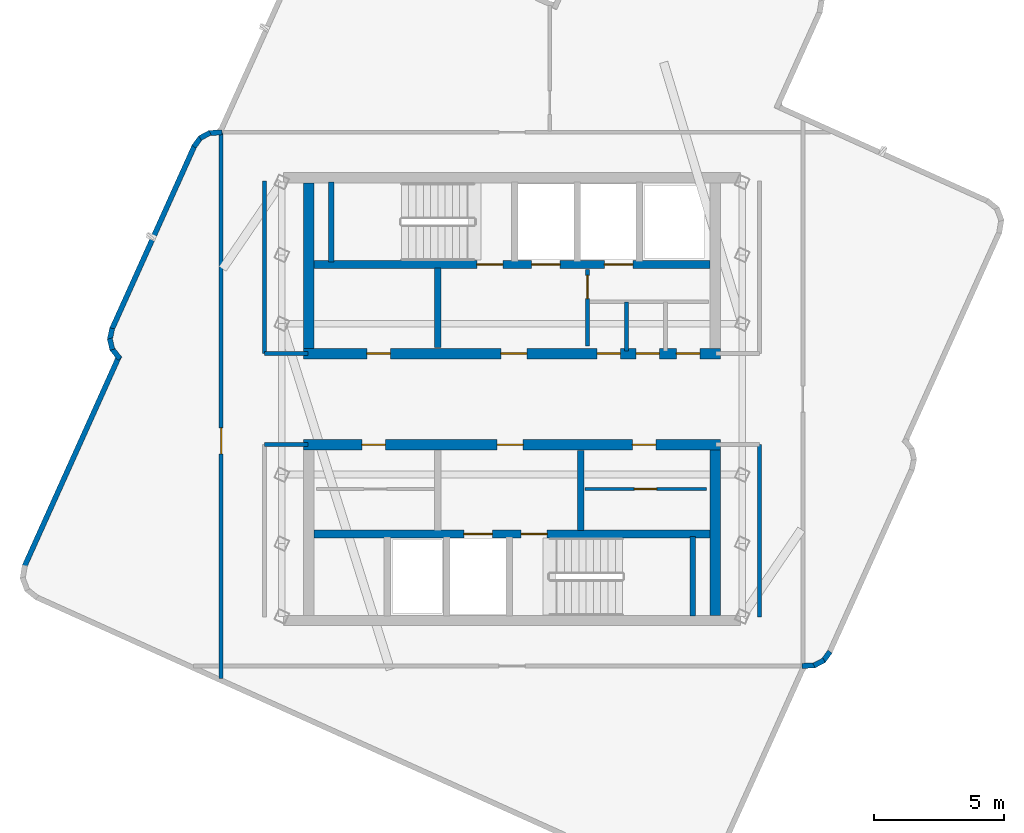
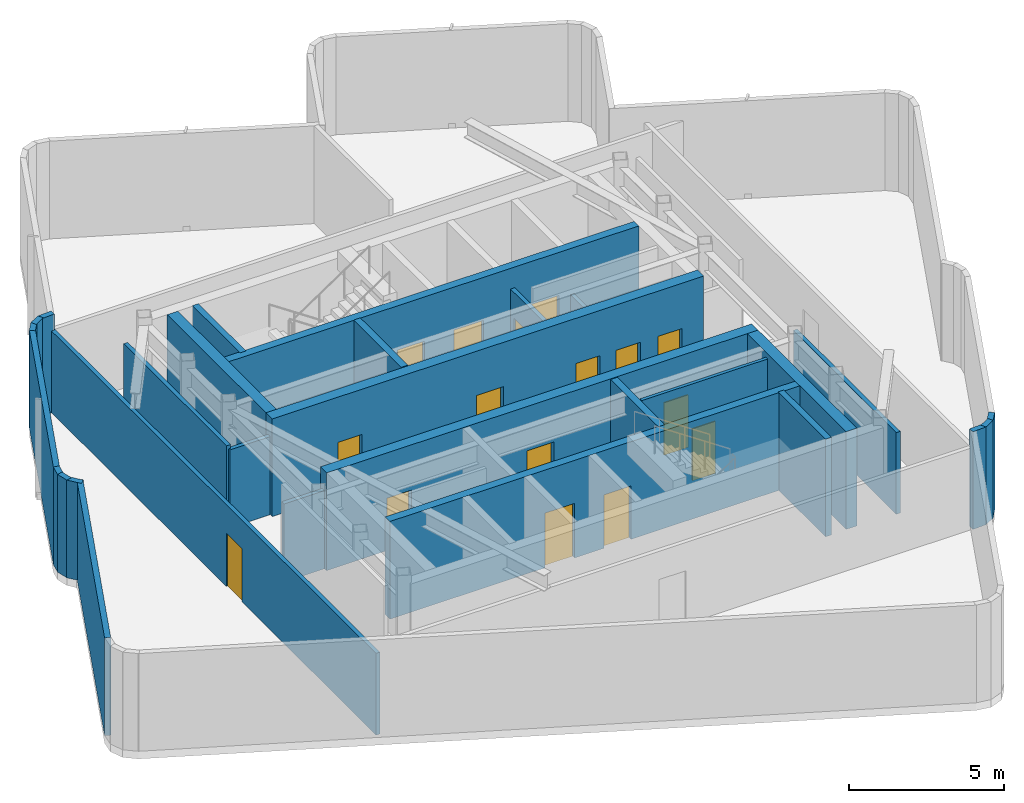
# One storey, part 2 of 4: 29 walls, 16 doors, 16 openings.
"""IFC4 building model written with IfcOpenShell, lengths in metres."""

from ifc_helpers import new_model, si_unit, direction, frame, frame_2d, origin, place, context, subcontext, project, spatial, rectangle, extrude, material, layer, layer_set, type_object, element, fill, save


model = new_model("IFC4")

# Units and contexts
model_context = context("Model", 3, precision=1e-05, world=origin(), true_north=direction((0.0, 1.0)))
body_context = subcontext(model_context, "Body", "Model", "MODEL_VIEW")
ifc_project = project(units=[si_unit("LENGTHUNIT", "METRE"), si_unit("AREAUNIT", "SQUARE_METRE"), si_unit("VOLUMEUNIT", "CUBIC_METRE"), si_unit("PLANEANGLEUNIT", "RADIAN"), si_unit("MASSUNIT", "GRAM", prefix="KILO")], contexts=[model_context])

# Site, building, storey
site_placement = place(None, origin())
site = spatial("IfcSite", under=ifc_project, at=site_placement, CompositionType="ELEMENT")
building_placement = place(site_placement, origin())
building = spatial("IfcBuilding", under=site, at=building_placement, Name="Solmarez Civic Tower", CompositionType="ELEMENT")
storey_placement = place(building_placement, frame((0.0, 0.0, 297.5400390625)))
storey = spatial("IfcBuildingStorey", under=building, at=storey_placement, Name="L80 Crown", CompositionType="ELEMENT", Elevation=297.5400390625)

# Wall, openings, doors
ifc_material_1 = material(Name="Concrete C50/60", Category="concrete")
ifc_layer_1 = layer(ifc_material_1, 0.39990234375)
ifc_layer_set_1 = layer_set([ifc_layer_1], Name="Concrete C50/60")
wall_type_1 = type_object("IfcWallType", Name="WALL-CORE-400", PredefinedType="SHEAR", material=ifc_layer_set_1)
wall_1_placement = place(storey_placement, frame((8.02001953125, 1.75, 0.0), z_axis=(0.0, 0.0, 1.0), x_axis=(-1.0, 0.0, 0.0)))
wall_1 = element("IfcWall", 1, at=wall_1_placement, inside=storey, type_object=wall_type_1, Name="L80 Crown Split-Core Structural Wall NCW-S-L80 Crown", PredefinedType="SHEAR", context=body_context, shape_type="SweptSolid", body=[
    extrude(rectangle(XDim=16.0400390625, YDim=0.39990234375, at=frame_2d((8.02001953125, 0.0))), origin(), (0.0, 0.0, 1.0), 3.83984375),
])
opening_1_placement = place(wall_1_placement, frame((7.449951171875, 0.0, 0.0)))
opening_1 = element("IfcOpeningElement", 2, at=opening_1_placement, cuts=wall_1, Name="Opening D-04", PredefinedType="OPENING", context=body_context, shape_type="SweptSolid", body=[
    extrude(rectangle(XDim=1.0, YDim=2.10009765625, at=frame_2d((0.5, 1.050048828125))), frame((0.0, 0.2099609375, 0.0), z_axis=(0.0, -1.0, 0.0), x_axis=(1.0, 0.0, 0.0)), (0.0, 0.0, 1.0), 0.419921875),
])
opening_2_placement = place(wall_1_placement, frame((12.699951171875, 0.0, 0.0)))
opening_2 = element("IfcOpeningElement", 3, at=opening_2_placement, cuts=wall_1, Name="Opening D-09", PredefinedType="OPENING", context=body_context, shape_type="SweptSolid", body=[
    extrude(rectangle(XDim=0.89990234375, YDim=2.06005859375, at=frame_2d((0.449951171875, 1.030029296875))), frame((0.0, 0.2099609375, 0.0), z_axis=(0.0, -1.0, 0.0), x_axis=(1.0, 0.0, 0.0)), (0.0, 0.0, 1.0), 0.419921875),
])
opening_3_placement = place(wall_1_placement, frame((3.85009765625, 0.0, 0.0)))
opening_3 = element("IfcOpeningElement", 4, at=opening_3_placement, cuts=wall_1, Name="Opening D-09", PredefinedType="OPENING", context=body_context, shape_type="SweptSolid", body=[
    extrude(rectangle(XDim=0.89990234375, YDim=2.06005859375, at=frame_2d((0.449951171875, 1.030029296875))), frame((0.0, 0.2099609375, 0.0), z_axis=(0.0, -1.0, 0.0), x_axis=(1.0, 0.0, 0.0)), (0.0, 0.0, 1.0), 0.419921875),
])
opening_4_placement = place(wall_1_placement, frame((2.35009765625, 0.0, 0.0)))
opening_4 = element("IfcOpeningElement", 5, at=opening_4_placement, cuts=wall_1, Name="Opening D-09", PredefinedType="OPENING", context=body_context, shape_type="SweptSolid", body=[
    extrude(rectangle(XDim=0.89990234375, YDim=2.06005859375, at=frame_2d((0.449951171875, 1.030029296875))), frame((0.0, 0.2099609375, 0.0), z_axis=(0.0, -1.0, 0.0), x_axis=(1.0, 0.0, 0.0)), (0.0, 0.0, 1.0), 0.419921875),
])
opening_5_placement = place(wall_1_placement, frame((0.800048828125, 0.0, 0.0)))
opening_5 = element("IfcOpeningElement", 6, at=opening_5_placement, cuts=wall_1, Name="Opening D-09", PredefinedType="OPENING", context=body_context, shape_type="SweptSolid", body=[
    extrude(rectangle(XDim=0.89990234375, YDim=2.06005859375, at=frame_2d((0.449951171875, 1.030029296875))), frame((0.0, 0.2099609375, 0.0), z_axis=(0.0, -1.0, 0.0), x_axis=(1.0, 0.0, 0.0)), (0.0, 0.0, 1.0), 0.419921875),
])
ifc_material_2 = material(Name="Steel-Faced Acoustic Fire Door", Category="steel")
door_type_1 = type_object("IfcDoorType", Name="DOOR-FD60-1000", OperationType="NOTDEFINED", PredefinedType="DOOR", material=ifc_material_2)
door_1_placement = place(opening_1_placement, origin())
door_1 = element("IfcDoor", 7, at=door_1_placement, inside=storey, type_object=door_type_1, Name="L80 Crown North Firefighting Lobby Door", OperationType="SINGLE_SWING_LEFT", OverallHeight=2.10009765625, OverallWidth=1.0, PredefinedType="DOOR", context=body_context, shape_type="SweptSolid", body=[
    extrude(rectangle(XDim=1.0, YDim=2.10009765625, at=frame_2d((0.5, 1.050048828125))), frame((0.0, 0.02490234375, 0.0), z_axis=(0.0, -1.0, 0.0), x_axis=(1.0, 0.0, 0.0)), (0.0, 0.0, 1.0), 0.050048828125),
])
fill(opening_1, door_1)
ifc_material_3 = material(Name="Fire-Rated Service Core Door", Category="wood")
door_type_2 = type_object("IfcDoorType", Name="DOOR-FD60-900", OperationType="NOTDEFINED", PredefinedType="DOOR", material=ifc_material_3)
door_2_placement = place(opening_2_placement, origin())
door_2 = element("IfcDoor", 8, at=door_2_placement, inside=storey, type_object=door_type_2, Name="L80 Crown Crown Catering Pantry Door", OperationType="SINGLE_SWING_LEFT", OverallHeight=2.06005859375, OverallWidth=0.89990234375, PredefinedType="DOOR", context=body_context, shape_type="SweptSolid", body=[
    extrude(rectangle(XDim=0.89990234375, YDim=2.06005859375, at=frame_2d((0.449951171875, 1.030029296875))), frame((0.0, 0.02490234375, 0.0), z_axis=(0.0, -1.0, 0.0), x_axis=(1.0, 0.0, 0.0)), (0.0, 0.0, 1.0), 0.050048828125),
])
fill(opening_2, door_2)
door_3_placement = place(opening_3_placement, origin())
door_3 = element("IfcDoor", 9, at=door_3_placement, inside=storey, type_object=door_type_2, Name="L80 Crown Core WC Door", OperationType="SINGLE_SWING_RIGHT", OverallHeight=2.06005859375, OverallWidth=0.89990234375, PredefinedType="DOOR", context=body_context, shape_type="SweptSolid", body=[
    extrude(rectangle(XDim=0.89990234375, YDim=2.06005859375, at=frame_2d((0.449951171875, 1.030029296875))), frame((0.0, 0.02490234375, 0.0), z_axis=(0.0, -1.0, 0.0), x_axis=(1.0, 0.0, 0.0)), (0.0, 0.0, 1.0), 0.050048828125),
])
fill(opening_3, door_3)
door_4_placement = place(opening_4_placement, origin())
door_4 = element("IfcDoor", 10, at=door_4_placement, inside=storey, type_object=door_type_2, Name="L80 Crown Core CL Door", OperationType="SINGLE_SWING_LEFT", OverallHeight=2.06005859375, OverallWidth=0.89990234375, PredefinedType="DOOR", context=body_context, shape_type="SweptSolid", body=[
    extrude(rectangle(XDim=0.89990234375, YDim=2.06005859375, at=frame_2d((0.449951171875, 1.030029296875))), frame((0.0, 0.02490234375, 0.0), z_axis=(0.0, -1.0, 0.0), x_axis=(1.0, 0.0, 0.0)), (0.0, 0.0, 1.0), 0.050048828125),
])
fill(opening_4, door_4)
door_5_placement = place(opening_5_placement, origin())
door_5 = element("IfcDoor", 11, at=door_5_placement, inside=storey, type_object=door_type_2, Name="L80 Crown Core IT Door", OperationType="SINGLE_SWING_LEFT", OverallHeight=2.06005859375, OverallWidth=0.89990234375, PredefinedType="DOOR", context=body_context, shape_type="SweptSolid", body=[
    extrude(rectangle(XDim=0.89990234375, YDim=2.06005859375, at=frame_2d((0.449951171875, 1.030029296875))), frame((0.0, 0.02490234375, 0.0), z_axis=(0.0, -1.0, 0.0), x_axis=(1.0, 0.0, 0.0)), (0.0, 0.0, 1.0), 0.050048828125),
])
fill(opening_5, door_5)

# Wall
wall_2_placement = place(storey_placement, frame((-7.820068359375, 1.949951171875, 0.0), z_axis=(0.0, 0.0, 1.0), x_axis=(0.0, 1.0, 0.0)))
element("IfcWall", 12, at=wall_2_placement, inside=storey, type_object=wall_type_1, Name="L80 Crown Split-Core Structural Wall NCW-W-L80 Crown", PredefinedType="SHEAR", context=body_context, shape_type="SweptSolid", body=[
    extrude(rectangle(XDim=6.360107421875, YDim=0.39990234375, at=frame_2d((3.18017578125, 0.0))), origin(), (0.0, 0.0, 1.0), 3.83984375),
])

# Wall, openings, doors
wall_3_placement = place(storey_placement, frame((-8.02001953125, -1.75, 0.0), z_axis=(0.0, 0.0, 1.0), x_axis=(1.0, 0.0, 0.0)))
wall_3 = element("IfcWall", 13, at=wall_3_placement, inside=storey, type_object=wall_type_1, Name="L80 Crown Split-Core Structural Wall SCW-N-L80 Crown", PredefinedType="SHEAR", context=body_context, shape_type="SweptSolid", body=[
    extrude(rectangle(XDim=16.0400390625, YDim=0.39990234375, at=frame_2d((8.02001953125, 0.0))), origin(), (0.0, 0.0, 1.0), 3.83984375),
])
opening_6_placement = place(wall_3_placement, frame((7.449951171875, 0.0, 0.0)))
opening_6 = element("IfcOpeningElement", 14, at=opening_6_placement, cuts=wall_3, Name="Opening D-04", PredefinedType="OPENING", context=body_context, shape_type="SweptSolid", body=[
    extrude(rectangle(XDim=1.0, YDim=2.10009765625, at=frame_2d((0.5, 1.050048828125))), frame((0.0, 0.2099609375, 0.0), z_axis=(0.0, -1.0, 0.0), x_axis=(1.0, 0.0, 0.0)), (0.0, 0.0, 1.0), 0.419921875),
])
opening_7_placement = place(wall_3_placement, frame((12.64990234375, 0.0, 0.0)))
opening_7 = element("IfcOpeningElement", 15, at=opening_7_placement, cuts=wall_3, Name="Opening D-09", PredefinedType="OPENING", context=body_context, shape_type="SweptSolid", body=[
    extrude(rectangle(XDim=0.89990234375, YDim=2.06005859375, at=frame_2d((0.449951171875, 1.030029296875))), frame((0.0, 0.2099609375, 0.0), z_axis=(0.0, -1.0, 0.0), x_axis=(1.0, 0.0, 0.0)), (0.0, 0.0, 1.0), 0.419921875),
])
opening_8_placement = place(wall_3_placement, frame((2.25, 0.0, 0.0)))
opening_8 = element("IfcOpeningElement", 16, at=opening_8_placement, cuts=wall_3, Name="Opening D-09", PredefinedType="OPENING", context=body_context, shape_type="SweptSolid", body=[
    extrude(rectangle(XDim=0.89990234375, YDim=2.06005859375, at=frame_2d((0.449951171875, 1.030029296875))), frame((0.0, 0.2099609375, 0.0), z_axis=(0.0, -1.0, 0.0), x_axis=(1.0, 0.0, 0.0)), (0.0, 0.0, 1.0), 0.419921875),
])
door_6_placement = place(opening_6_placement, origin())
door_6 = element("IfcDoor", 17, at=door_6_placement, inside=storey, type_object=door_type_1, Name="L80 Crown South Firefighting Lobby Door", OperationType="SINGLE_SWING_RIGHT", OverallHeight=2.10009765625, OverallWidth=1.0, PredefinedType="DOOR", context=body_context, shape_type="SweptSolid", body=[
    extrude(rectangle(XDim=1.0, YDim=2.10009765625, at=frame_2d((0.5, 1.050048828125))), frame((0.0, 0.02490234375, 0.0), z_axis=(0.0, -1.0, 0.0), x_axis=(1.0, 0.0, 0.0)), (0.0, 0.0, 1.0), 0.050048828125),
])
fill(opening_6, door_6)
door_7_placement = place(opening_7_placement, origin())
door_7 = element("IfcDoor", 18, at=door_7_placement, inside=storey, type_object=door_type_2, Name="L80 Crown Freed Hoistway Mailroom Door", OperationType="SINGLE_SWING_LEFT", OverallHeight=2.06005859375, OverallWidth=0.89990234375, PredefinedType="DOOR", context=body_context, shape_type="SweptSolid", body=[
    extrude(rectangle(XDim=0.89990234375, YDim=2.06005859375, at=frame_2d((0.449951171875, 1.030029296875))), frame((0.0, 0.02490234375, 0.0), z_axis=(0.0, -1.0, 0.0), x_axis=(1.0, 0.0, 0.0)), (0.0, 0.0, 1.0), 0.050048828125),
])
fill(opening_7, door_7)
door_8_placement = place(opening_8_placement, origin())
door_8 = element("IfcDoor", 19, at=door_8_placement, inside=storey, type_object=door_type_2, Name="L80 Crown Staff Kitchenette Pantry Door", OperationType="SINGLE_SWING_RIGHT", OverallHeight=2.06005859375, OverallWidth=0.89990234375, PredefinedType="DOOR", context=body_context, shape_type="SweptSolid", body=[
    extrude(rectangle(XDim=0.89990234375, YDim=2.06005859375, at=frame_2d((0.449951171875, 1.030029296875))), frame((0.0, 0.02490234375, 0.0), z_axis=(0.0, -1.0, 0.0), x_axis=(1.0, 0.0, 0.0)), (0.0, 0.0, 1.0), 0.050048828125),
])
fill(opening_8, door_8)

# Walls
wall_4_placement = place(storey_placement, frame((7.820068359375, -1.949951171875, 0.0), z_axis=(0.0, 0.0, 1.0), x_axis=(0.0, -1.0, 0.0)))
element("IfcWall", 20, at=wall_4_placement, inside=storey, type_object=wall_type_1, Name="L80 Crown Split-Core Structural Wall SCW-E-L80 Crown", PredefinedType="SHEAR", context=body_context, shape_type="SweptSolid", body=[
    extrude(rectangle(XDim=6.360107421875, YDim=0.39990234375, at=frame_2d((3.18017578125, 0.0))), origin(), (0.0, 0.0, 1.0), 3.83984375),
])
ifc_material_4 = material(Name="Precast concrete C40/50", Category="concrete")
ifc_layer_2 = layer(ifc_material_4, 0.199951171875)
ifc_layer_set_2 = layer_set([ifc_layer_2], Name="Precast concrete C40/50")
wall_type_2 = type_object("IfcWallType", Name="WALL-EXT-200", PredefinedType="SOLIDWALL", material=ifc_layer_set_2)
wall_5_placement = place(storey_placement, frame((-15.071044921875, 1.551025390625, 0.0), z_axis=(0.0, 0.0, 1.0), x_axis=(-0.621271987863, 0.783594995579, 0.0)))
element("IfcWall", 21, at=wall_5_placement, inside=storey, type_object=wall_type_2, Name="L80 Crown Exterior Precast Wall 1", PredefinedType="SOLIDWALL", context=body_context, shape_type="SweptSolid", body=[
    extrude(rectangle(XDim=0.50537109375, YDim=0.199951171875, at=frame_2d((0.252685546875, 0.0))), origin(), (0.0, 0.0, 1.0), 3.83984375),
])
wall_6_placement = place(storey_placement, frame((-15.363037109375, 1.903076171875, 0.0), z_axis=(0.0, 0.0, 1.0), x_axis=(-0.230841504765, 0.972991366703, 0.0)))
element("IfcWall", 22, at=wall_6_placement, inside=storey, type_object=wall_type_2, Name="L80 Crown Exterior Precast Wall 2", PredefinedType="SOLIDWALL", context=body_context, shape_type="SweptSolid", body=[
    extrude(rectangle(XDim=0.437744140625, YDim=0.199951171875, at=frame_2d((0.21875, 0.0))), origin(), (0.0, 0.0, 1.0), 3.83984375),
])
wall_7_placement = place(storey_placement, frame((-15.462890625, 2.281005859375, 0.0), z_axis=(0.0, 0.0, 1.0), x_axis=(0.202605604036, 0.979260419507, 0.0)))
element("IfcWall", 23, at=wall_7_placement, inside=storey, type_object=wall_type_2, Name="L80 Crown Exterior Precast Wall 3", PredefinedType="SOLIDWALL", context=body_context, shape_type="SweptSolid", body=[
    extrude(rectangle(XDim=0.4482421875, YDim=0.199951171875, at=frame_2d((0.22412109375, 0.0))), origin(), (0.0, 0.0, 1.0), 3.83984375),
])
wall_8_placement = place(storey_placement, frame((-15.386962890625, 2.673095703125, 0.0), z_axis=(0.0, 0.0, 1.0), x_axis=(0.41050728393, 0.911857318795, 0.0)))
element("IfcWall", 24, at=wall_8_placement, inside=storey, type_object=wall_type_2, Name="L80 Crown Exterior Precast Wall 4", PredefinedType="SOLIDWALL", context=body_context, shape_type="SweptSolid", body=[
    extrude(rectangle(XDim=7.7587890625, YDim=0.199951171875, at=frame_2d((3.87939453125, 0.0))), origin(), (0.0, 0.0, 1.0), 3.83984375),
])
wall_9_placement = place(storey_placement, frame((-12.22705078125, 9.705078125, 0.0), z_axis=(0.0, 0.0, 1.0), x_axis=(0.597741167546, 0.801689152116, 0.0)))
element("IfcWall", 25, at=wall_9_placement, inside=storey, type_object=wall_type_2, Name="L80 Crown Exterior Precast Wall 5", PredefinedType="SOLIDWALL", context=body_context, shape_type="SweptSolid", body=[
    extrude(rectangle(XDim=0.4501953125, YDim=0.199951171875, at=frame_2d((0.22509765625, 0.0))), origin(), (0.0, 0.0, 1.0), 3.83984375),
])
wall_10_placement = place(storey_placement, frame((-11.9951171875, 10.033935546875, 0.0), z_axis=(0.0, 0.0, 1.0), x_axis=(0.880934398169, 0.473238403052, 0.0)))
element("IfcWall", 26, at=wall_10_placement, inside=storey, type_object=wall_type_2, Name="L80 Crown Exterior Precast Wall 6", PredefinedType="SOLIDWALL", context=body_context, shape_type="SweptSolid", body=[
    extrude(rectangle(XDim=0.439453125, YDim=0.199951171875, at=frame_2d((0.2197265625, 0.0))), origin(), (0.0, 0.0, 1.0), 3.83984375),
])
wall_11_placement = place(storey_placement, frame((-11.655029296875, 10.22900390625, 0.0), z_axis=(0.0, 0.0, 1.0), x_axis=(0.998558429255, 0.053675537844, 0.0)))
element("IfcWall", 27, at=wall_11_placement, inside=storey, type_object=wall_type_2, Name="L80 Crown Exterior Precast Wall 7", PredefinedType="SOLIDWALL", context=body_context, shape_type="SweptSolid", body=[
    extrude(rectangle(XDim=0.5048828125, YDim=0.199951171875, at=frame_2d((0.25244140625, 0.0))), origin(), (0.0, 0.0, 1.0), 3.83984375),
])
wall_12_placement = place(storey_placement, frame((12.22705078125, -9.705078125, 0.0), z_axis=(0.0, 0.0, 1.0), x_axis=(-0.597741167546, -0.801689152116, 0.0)))
element("IfcWall", 28, at=wall_12_placement, inside=storey, type_object=wall_type_2, Name="L80 Crown Exterior Precast Wall 39", PredefinedType="SOLIDWALL", context=body_context, shape_type="SweptSolid", body=[
    extrude(rectangle(XDim=0.4501953125, YDim=0.199951171875, at=frame_2d((0.22509765625, 0.0))), origin(), (0.0, 0.0, 1.0), 3.83984375),
])
wall_13_placement = place(storey_placement, frame((11.9951171875, -10.033935546875, 0.0), z_axis=(0.0, 0.0, 1.0), x_axis=(-0.880934398169, -0.473238403052, 0.0)))
element("IfcWall", 29, at=wall_13_placement, inside=storey, type_object=wall_type_2, Name="L80 Crown Exterior Precast Wall 40", PredefinedType="SOLIDWALL", context=body_context, shape_type="SweptSolid", body=[
    extrude(rectangle(XDim=0.439453125, YDim=0.199951171875, at=frame_2d((0.2197265625, 0.0))), origin(), (0.0, 0.0, 1.0), 3.83984375),
])
wall_14_placement = place(storey_placement, frame((11.655029296875, -10.22900390625, 0.0), z_axis=(0.0, 0.0, 1.0), x_axis=(-0.998558429255, -0.053675537844, 0.0)))
element("IfcWall", 30, at=wall_14_placement, inside=storey, type_object=wall_type_2, Name="L80 Crown Exterior Precast Wall 41", PredefinedType="SOLIDWALL", context=body_context, shape_type="SweptSolid", body=[
    extrude(rectangle(XDim=0.5048828125, YDim=0.199951171875, at=frame_2d((0.25244140625, 0.0))), origin(), (0.0, 0.0, 1.0), 3.83984375),
])
wall_15_placement = place(storey_placement, frame((-18.743896484375, -6.43408203125, 0.0), z_axis=(0.0, 0.0, 1.0), x_axis=(0.410506010515, 0.911857892071, 0.0)))
element("IfcWall", 31, at=wall_15_placement, inside=storey, type_object=wall_type_2, Name="L80 Crown Exterior Precast Wall 52", PredefinedType="SOLIDWALL", context=body_context, shape_type="SweptSolid", body=[
    extrude(rectangle(XDim=8.906005859375, YDim=0.199951171875, at=frame_2d((4.453125, 0.0))), origin(), (0.0, 0.0, 1.0), 3.83984375),
])
ifc_material_5 = material(Name="Gypsum Board Acoustic Steel-Stud Partition", Category="steel")
ifc_layer_3 = layer(ifc_material_5, 0.14990234375)
ifc_layer_set_3 = layer_set([ifc_layer_3], Name="Gypsum Board Acoustic Steel-Stud Partition")
wall_type_3 = type_object("IfcWallType", Name="WALL-INT-FIRE-150", PredefinedType="PARTITIONING", material=ifc_layer_set_3)
wall_16_placement = place(storey_placement, frame((-9.52001953125, 1.75, 0.0), z_axis=(0.0, 0.0, 1.0), x_axis=(0.0, 1.0, 0.0)))
element("IfcWall", 32, at=wall_16_placement, inside=storey, type_object=wall_type_3, Name="L80 Crown Interior Partition CHW-L80 Crown-WN1", PredefinedType="PARTITIONING", context=body_context, shape_type="SweptSolid", body=[
    extrude(rectangle(XDim=6.6298828125, YDim=0.14990234375, at=frame_2d((3.31494140625, 0.0))), origin(), (0.0, 0.0, 1.0), 3.2099609375),
])
for number, where, z_axis, x_axis, name in (
    (33, (-7.85009765625, 1.75, 0.0), (0.0, 0.0, 1.0), (-1.0, 0.0, 0.0), "L80 Crown Interior Partition CHW-L80 Crown-WN3"),
    (34, (-7.85009765625, -1.75, 0.0), (0.0, 0.0, 1.0), (-1.0, 0.0, 0.0), "L80 Crown Interior Partition CHW-L80 Crown-WS3"),
):
    element("IfcWall", number, at=place(storey_placement, frame(where, z_axis=z_axis, x_axis=x_axis)), inside=storey, type_object=wall_type_3, Name=name, PredefinedType="PARTITIONING", context=body_context, shape_type="SweptSolid", body=[
        extrude(rectangle(XDim=1.669921875, YDim=0.14990234375, at=frame_2d((0.8349609375, 0.0))), origin(), (0.0, 0.0, 1.0), 3.070068359375),
    ])
wall_17_placement = place(storey_placement, frame((9.52001953125, -8.3798828125, 0.0), z_axis=(0.0, 0.0, 1.0), x_axis=(0.0, 1.0, 0.0)))
element("IfcWall", 35, at=wall_17_placement, inside=storey, type_object=wall_type_3, Name="L80 Crown Interior Partition CHW-L80 Crown-ES1", PredefinedType="PARTITIONING", context=body_context, shape_type="SweptSolid", body=[
    extrude(rectangle(XDim=6.6298828125, YDim=0.14990234375, at=frame_2d((3.31494140625, 0.0))), origin(), (0.0, 0.0, 1.0), 3.2099609375),
])

# Wall, opening, door
wall_18_placement = place(storey_placement, frame((-11.179931640625, -10.741943359375, 0.0), z_axis=(0.0, 0.0, 1.0), x_axis=(0.0, 1.0, 0.0)))
wall_18 = element("IfcWall", 36, at=wall_18_placement, inside=storey, type_object=wall_type_3, Name="L80 Crown Interior Partition PT-L80 Crown-W", PredefinedType="PARTITIONING", context=body_context, shape_type="SweptSolid", body=[
    extrude(rectangle(XDim=21.02001953125, YDim=0.14990234375, at=frame_2d((10.510009765625, 0.0))), origin(), (0.0, 0.0, 1.0), 3.2099609375),
])
opening_9_placement = place(wall_18_placement, frame((8.64208984375, 0.0, 0.0)))
opening_9 = element("IfcOpeningElement", 37, at=opening_9_placement, cuts=wall_18, Name="Opening D-04", PredefinedType="OPENING", context=body_context, shape_type="SweptSolid", body=[
    extrude(rectangle(XDim=1.0, YDim=2.10009765625, at=frame_2d((0.5, 1.050048828125))), frame((0.0, 0.0849609375, 0.0), z_axis=(0.0, -1.0, 0.0), x_axis=(1.0, 0.0, 0.0)), (0.0, 0.0, 1.0), 0.169921875),
])
door_9_placement = place(opening_9_placement, origin())
door_9 = element("IfcDoor", 38, at=door_9_placement, inside=storey, type_object=door_type_1, Name="L80 Crown Elevator Motor and Machine Room Door", OperationType="SINGLE_SWING_LEFT", OverallHeight=2.10009765625, OverallWidth=1.0, PredefinedType="DOOR", context=body_context, shape_type="SweptSolid", body=[
    extrude(rectangle(XDim=1.0, YDim=2.10009765625, at=frame_2d((0.5, 1.050048828125))), frame((0.0, 0.02490234375, 0.0), z_axis=(0.0, -1.0, 0.0), x_axis=(1.0, 0.0, 0.0)), (0.0, 0.0, 1.0), 0.050048828125),
])
fill(opening_9, door_9)

ifc_layer_4 = layer(ifc_material_5, 0.1201171875)
ifc_layer_set_4 = layer_set([ifc_layer_4], Name="Gypsum Board Acoustic Steel-Stud Partition")
wall_type_4 = type_object("IfcWallType", Name="WALL-INT-PART-120", PredefinedType="PARTITIONING", material=ifc_layer_set_4)
wall_19_placement = place(storey_placement, frame((2.800048828125, -3.449951171875, 0.0), z_axis=(0.0, 0.0, 1.0), x_axis=(1.0, 0.0, 0.0)))
wall_19 = element("IfcWall", 39, at=wall_19_placement, inside=storey, type_object=wall_type_4, Name="L80 Crown Interior Partition PT-FPLL-L80 Crown", PredefinedType="PARTITIONING", context=body_context, shape_type="SweptSolid", body=[
    extrude(rectangle(XDim=4.679931640625, YDim=0.1201171875, at=frame_2d((2.33984375, 0.0))), origin(), (0.0, 0.0, 1.0), 3.83984375),
])
opening_10_placement = place(wall_19_placement, frame((1.89990234375, 0.0, 0.0)))
opening_10 = element("IfcOpeningElement", 40, at=opening_10_placement, cuts=wall_19, Name="Opening D-14", PredefinedType="OPENING", context=body_context, shape_type="SweptSolid", body=[
    extrude(rectangle(XDim=0.860107421875, YDim=2.0400390625, at=frame_2d((0.43017578125, 1.02001953125))), frame((0.0, 0.070068359375, 0.0), z_axis=(0.0, -1.0, 0.0), x_axis=(1.0, 0.0, 0.0)), (0.0, 0.0, 1.0), 0.14013671875),
])
ifc_material_6 = material(Name="Timber Storage and Pantry Door", Category="wood")
door_type_3 = type_object("IfcDoorType", Name="DOOR-INT-850", OperationType="NOTDEFINED", PredefinedType="DOOR", material=ifc_material_6)
door_10_placement = place(opening_10_placement, origin())
door_10 = element("IfcDoor", 41, at=door_10_placement, inside=storey, type_object=door_type_3, Name="L80 Crown Records Filing Room Door", OperationType="SINGLE_SWING_LEFT", OverallHeight=2.0400390625, OverallWidth=0.860107421875, PredefinedType="DOOR", context=body_context, shape_type="SweptSolid", body=[
    extrude(rectangle(XDim=0.860107421875, YDim=2.0400390625, at=frame_2d((0.43017578125, 1.02001953125))), frame((0.0, 0.02490234375, 0.0), z_axis=(0.0, -1.0, 0.0), x_axis=(1.0, 0.0, 0.0)), (0.0, 0.0, 1.0), 0.050048828125),
])
fill(opening_10, door_10)

ifc_layer_5 = layer(ifc_material_5, 0.159912109375)
ifc_layer_set_5 = layer_set([ifc_layer_5], Name="Gypsum Board Acoustic Steel-Stud Partition")
wall_type_5 = type_object("IfcWallType", Name="WALL-INT-SHAFT-160", PredefinedType="PARTITIONING", material=ifc_layer_set_5)
wall_20_placement = place(storey_placement, frame((2.89990234375, 2.0400390625, 0.0), z_axis=(0.0, 0.0, 1.0), x_axis=(0.0, 1.0, 0.0)))
wall_20 = element("IfcWall", 42, at=wall_20_placement, inside=storey, type_object=wall_type_5, Name="L80 Crown Interior Partition SHW-NL2-L80 Crown", PredefinedType="PARTITIONING", context=body_context, shape_type="SweptSolid", body=[
    extrude(rectangle(XDim=2.93994140625, YDim=0.159912109375, at=frame_2d((1.469970703125, 0.0))), origin(), (0.0, 0.0, 1.0), 3.070068359375),
])
opening_11_placement = place(wall_20_placement, frame((1.820068359375, 0.0, 0.0)))
opening_11 = element("IfcOpeningElement", 43, at=opening_11_placement, cuts=wall_20, Name="Opening D-09", PredefinedType="OPENING", context=body_context, shape_type="SweptSolid", body=[
    extrude(rectangle(XDim=0.89990234375, YDim=2.06005859375, at=frame_2d((0.449951171875, 1.030029296875))), frame((0.0, 0.08984375, 0.0), z_axis=(0.0, -1.0, 0.0), x_axis=(1.0, 0.0, 0.0)), (0.0, 0.0, 1.0), 0.179931640625),
])
door_11_placement = place(opening_11_placement, origin())
door_11 = element("IfcDoor", 44, at=door_11_placement, inside=storey, type_object=door_type_2, Name="L80 Crown Service Lift Lobby Door", OperationType="SINGLE_SWING_LEFT", OverallHeight=2.06005859375, OverallWidth=0.89990234375, PredefinedType="DOOR", context=body_context, shape_type="SweptSolid", body=[
    extrude(rectangle(XDim=0.89990234375, YDim=2.06005859375, at=frame_2d((0.449951171875, 1.030029296875))), frame((0.0, 0.02490234375, 0.0), z_axis=(0.0, -1.0, 0.0), x_axis=(1.0, 0.0, 0.0)), (0.0, 0.0, 1.0), 0.050048828125),
])
fill(opening_11, door_11)

# Wall
ifc_layer_6 = layer(ifc_material_5, 0.137939453125)
ifc_layer_set_6 = layer_set([ifc_layer_6], Name="Gypsum Board Acoustic Steel-Stud Partition")
wall_type_6 = type_object("IfcWallType", Name="WALL-INT-WET-140", PredefinedType="PARTITIONING", material=ifc_layer_set_6)
wall_21_placement = place(storey_placement, frame((4.39990234375, 1.85009765625, 0.0), z_axis=(0.0, 0.0, 1.0), x_axis=(0.0, 1.0, 0.0)))
element("IfcWall", 45, at=wall_21_placement, inside=storey, type_object=wall_type_6, Name="L80 Crown Interior Partition PT-NCSV1-L80 Crown", PredefinedType="PARTITIONING", context=body_context, shape_type="SweptSolid", body=[
    extrude(rectangle(XDim=1.889892578125, YDim=0.137939453125, at=frame_2d((0.94482421875, 0.0))), origin(), (0.0, 0.0, 1.0), 3.070068359375),
])

# Wall, openings, doors
ifc_layer_7 = layer(ifc_material_1, 0.300048828125)
ifc_layer_set_7 = layer_set([ifc_layer_7], Name="Concrete C50/60")
wall_type_7 = type_object("IfcWallType", Name="WALL-STR-300", PredefinedType="SOLIDWALL", material=ifc_layer_set_7)
wall_22_placement = place(storey_placement, frame((7.6201171875, 5.179931640625, 0.0), z_axis=(0.0, 0.0, 1.0), x_axis=(-1.0, 0.0, 0.0)))
wall_22 = element("IfcWall", 46, at=wall_22_placement, inside=storey, type_object=wall_type_7, Name="L80 Crown Split-Core Structural Wall NCW-M-L80 Crown", PredefinedType="SOLIDWALL", context=body_context, shape_type="SweptSolid", body=[
    extrude(rectangle(XDim=15.240234375, YDim=0.300048828125, at=frame_2d((7.6201171875, 0.0))), origin(), (0.0, 0.0, 1.0), 3.83984375),
])
opening_12_placement = place(wall_22_placement, frame((5.77001953125, 0.0, 0.0)))
opening_12 = element("IfcOpeningElement", 47, at=opening_12_placement, cuts=wall_22, Name="Opening LD-02", PredefinedType="OPENING", context=body_context, shape_type="SweptSolid", body=[
    extrude(rectangle(XDim=1.10009765625, YDim=2.14990234375, at=frame_2d((0.550048828125, 1.074951171875))), frame((0.0, 0.159912109375, 0.0), z_axis=(0.0, -1.0, 0.0), x_axis=(1.0, 0.0, 0.0)), (0.0, 0.0, 1.0), 0.320068359375),
])
opening_13_placement = place(wall_22_placement, frame((2.969970703125, 0.0, 0.0)))
opening_13 = element("IfcOpeningElement", 48, at=opening_13_placement, cuts=wall_22, Name="Opening LD-03", PredefinedType="OPENING", context=body_context, shape_type="SweptSolid", body=[
    extrude(rectangle(XDim=1.10009765625, YDim=2.14990234375, at=frame_2d((0.550048828125, 1.074951171875))), frame((0.0, 0.159912109375, 0.0), z_axis=(0.0, -1.0, 0.0), x_axis=(1.0, 0.0, 0.0)), (0.0, 0.0, 1.0), 0.320068359375),
])
opening_14_placement = place(wall_22_placement, frame((7.969970703125, 0.0, 0.0)))
opening_14 = element("IfcOpeningElement", 49, at=opening_14_placement, cuts=wall_22, Name="Opening D-05", PredefinedType="OPENING", context=body_context, shape_type="SweptSolid", body=[
    extrude(rectangle(XDim=1.0, YDim=2.10009765625, at=frame_2d((0.5, 1.050048828125))), frame((0.0, 0.159912109375, 0.0), z_axis=(0.0, -1.0, 0.0), x_axis=(1.0, 0.0, 0.0)), (0.0, 0.0, 1.0), 0.320068359375),
])
ifc_material_7 = material(Name="Fire-Rated Stairwell Exit Door", Category="wood")
door_type_4 = type_object("IfcDoorType", Name="DOOR-FD90-1000", OperationType="NOTDEFINED", PredefinedType="DOOR", material=ifc_material_7)
door_12_placement = place(opening_14_placement, origin())
door_12 = element("IfcDoor", 50, at=door_12_placement, inside=storey, type_object=door_type_4, Name="L80 Crown North Exit Stair Door ST-1", OperationType="SINGLE_SWING_LEFT", OverallHeight=2.10009765625, OverallWidth=1.0, PredefinedType="DOOR", context=body_context, shape_type="SweptSolid", body=[
    extrude(rectangle(XDim=1.0, YDim=2.10009765625, at=frame_2d((0.5, 1.050048828125))), frame((0.0, 0.02490234375, 0.0), z_axis=(0.0, -1.0, 0.0), x_axis=(1.0, 0.0, 0.0)), (0.0, 0.0, 1.0), 0.050048828125),
])
fill(opening_14, door_12)
ifc_material_8 = material(Name="Stainless Firefighting Lift Landing Sliding Door", Category="aluminium")
door_type_5 = type_object("IfcDoorType", Name="DOOR-LD-FF-1100", OperationType="DOUBLE_DOOR_SLIDING", PredefinedType="DOOR", material=ifc_material_8)
door_13_placement = place(opening_12_placement, origin())
door_13 = element("IfcDoor", 51, at=door_13_placement, inside=storey, type_object=door_type_5, Name="L80 Crown Firefighting Lift Landing Door FFL-1", OperationType="DOUBLE_DOOR_SLIDING", OverallHeight=2.14990234375, OverallWidth=1.10009765625, PredefinedType="DOOR", context=body_context, shape_type="SweptSolid", body=[
    extrude(rectangle(XDim=1.10009765625, YDim=2.14990234375, at=frame_2d((0.550048828125, 1.074951171875))), frame((0.0, 0.02490234375, 0.0), z_axis=(0.0, -1.0, 0.0), x_axis=(1.0, 0.0, 0.0)), (0.0, 0.0, 1.0), 0.050048828125),
])
fill(opening_12, door_13)
ifc_material_9 = material(Name="Stainless Stretcher Lift Landing Sliding Door", Category="aluminium")
door_type_6 = type_object("IfcDoorType", Name="DOOR-LD-SV-1100", OperationType="DOUBLE_DOOR_SLIDING", PredefinedType="DOOR", material=ifc_material_9)
door_14_placement = place(opening_13_placement, origin())
door_14 = element("IfcDoor", 52, at=door_14_placement, inside=storey, type_object=door_type_6, Name="L80 Crown Service Stretcher Lift Landing Door SVL-1", OperationType="DOUBLE_DOOR_SLIDING", OverallHeight=2.14990234375, OverallWidth=1.10009765625, PredefinedType="DOOR", context=body_context, shape_type="SweptSolid", body=[
    extrude(rectangle(XDim=1.10009765625, YDim=2.14990234375, at=frame_2d((0.550048828125, 1.074951171875))), frame((0.0, 0.02490234375, 0.0), z_axis=(0.0, -1.0, 0.0), x_axis=(1.0, 0.0, 0.0)), (0.0, 0.0, 1.0), 0.050048828125),
])
fill(opening_13, door_14)

wall_23_placement = place(storey_placement, frame((-7.6201171875, -5.179931640625, 0.0), z_axis=(0.0, 0.0, 1.0), x_axis=(1.0, 0.0, 0.0)))
wall_23 = element("IfcWall", 53, at=wall_23_placement, inside=storey, type_object=wall_type_7, Name="L80 Crown Split-Core Structural Wall SCW-M-L80 Crown", PredefinedType="SOLIDWALL", context=body_context, shape_type="SweptSolid", body=[
    extrude(rectangle(XDim=15.240234375, YDim=0.300048828125, at=frame_2d((7.6201171875, 0.0))), origin(), (0.0, 0.0, 1.0), 3.83984375),
])
opening_15_placement = place(wall_23_placement, frame((5.77001953125, 0.0, 0.0)))
opening_15 = element("IfcOpeningElement", 54, at=opening_15_placement, cuts=wall_23, Name="Opening LD-02", PredefinedType="OPENING", context=body_context, shape_type="SweptSolid", body=[
    extrude(rectangle(XDim=1.10009765625, YDim=2.14990234375, at=frame_2d((0.550048828125, 1.074951171875))), frame((0.0, 0.159912109375, 0.0), z_axis=(0.0, -1.0, 0.0), x_axis=(1.0, 0.0, 0.0)), (0.0, 0.0, 1.0), 0.320068359375),
])
opening_16_placement = place(wall_23_placement, frame((7.969970703125, 0.0, 0.0)))
opening_16 = element("IfcOpeningElement", 55, at=opening_16_placement, cuts=wall_23, Name="Opening D-05", PredefinedType="OPENING", context=body_context, shape_type="SweptSolid", body=[
    extrude(rectangle(XDim=1.0, YDim=2.10009765625, at=frame_2d((0.5, 1.050048828125))), frame((0.0, 0.159912109375, 0.0), z_axis=(0.0, -1.0, 0.0), x_axis=(1.0, 0.0, 0.0)), (0.0, 0.0, 1.0), 0.320068359375),
])
door_15_placement = place(opening_16_placement, origin())
door_15 = element("IfcDoor", 56, at=door_15_placement, inside=storey, type_object=door_type_4, Name="L80 Crown South Exit Stair Door ST-2", OperationType="SINGLE_SWING_RIGHT", OverallHeight=2.10009765625, OverallWidth=1.0, PredefinedType="DOOR", context=body_context, shape_type="SweptSolid", body=[
    extrude(rectangle(XDim=1.0, YDim=2.10009765625, at=frame_2d((0.5, 1.050048828125))), frame((0.0, 0.02490234375, 0.0), z_axis=(0.0, -1.0, 0.0), x_axis=(1.0, 0.0, 0.0)), (0.0, 0.0, 1.0), 0.050048828125),
])
fill(opening_16, door_15)
door_16_placement = place(opening_15_placement, origin())
door_16 = element("IfcDoor", 57, at=door_16_placement, inside=storey, type_object=door_type_5, Name="L80 Crown Firefighting Lift Landing Door FFL-2", OperationType="DOUBLE_DOOR_SLIDING", OverallHeight=2.14990234375, OverallWidth=1.10009765625, PredefinedType="DOOR", context=body_context, shape_type="SweptSolid", body=[
    extrude(rectangle(XDim=1.10009765625, YDim=2.14990234375, at=frame_2d((0.550048828125, 1.074951171875))), frame((0.0, 0.02490234375, 0.0), z_axis=(0.0, -1.0, 0.0), x_axis=(1.0, 0.0, 0.0)), (0.0, 0.0, 1.0), 0.050048828125),
])
fill(opening_15, door_16)

# Walls
for number, where, z_axis, x_axis, name in (
    (58, (-6.949951171875, 5.280029296875, 0.0), (0.0, 0.0, 1.0), (0.0, 1.0, 0.0), "L80 Crown Split-Core Structural Wall SHW-NW-L80 Crown"),
    (59, (6.949951171875, -8.340087890625, 0.0), (0.0, 0.0, 1.0), (0.0, 1.0, 0.0), "L80 Crown Split-Core Structural Wall SHW-SE-L80 Crown"),
):
    element("IfcWall", number, at=place(storey_placement, frame(where, z_axis=z_axis, x_axis=x_axis)), inside=storey, type_object=wall_type_7, Name=name, PredefinedType="SOLIDWALL", context=body_context, shape_type="SweptSolid", body=[
        extrude(rectangle(XDim=3.06005859375, YDim=0.219970703125, at=frame_2d((1.530029296875, 0.0))), origin(), (0.0, 0.0, 1.0), 3.83984375),
    ])
for number, where, z_axis, x_axis, name in (
    (60, (-2.85009765625, 1.97998046875, 0.0), (0.0, 0.0, 1.0), (0.0, 1.0, 0.0), "L80 Crown Split-Core Structural Wall SHW-NL1-L80 Crown"),
    (61, (2.64990234375, -5.050048828125, 0.0), (0.0, 0.0, 1.0), (0.0, 1.0, 0.0), "L80 Crown Split-Core Structural Wall SHW-SL2-L80 Crown"),
):
    element("IfcWall", number, at=place(storey_placement, frame(where, z_axis=z_axis, x_axis=x_axis)), inside=storey, type_object=wall_type_7, Name=name, PredefinedType="SOLIDWALL", context=body_context, shape_type="SweptSolid", body=[
        extrude(rectangle(XDim=3.070068359375, YDim=0.25, at=frame_2d((1.53515625, 0.0))), origin(), (0.0, 0.0, 1.0), 3.83984375),
    ])

save(model, "model.ifc")
